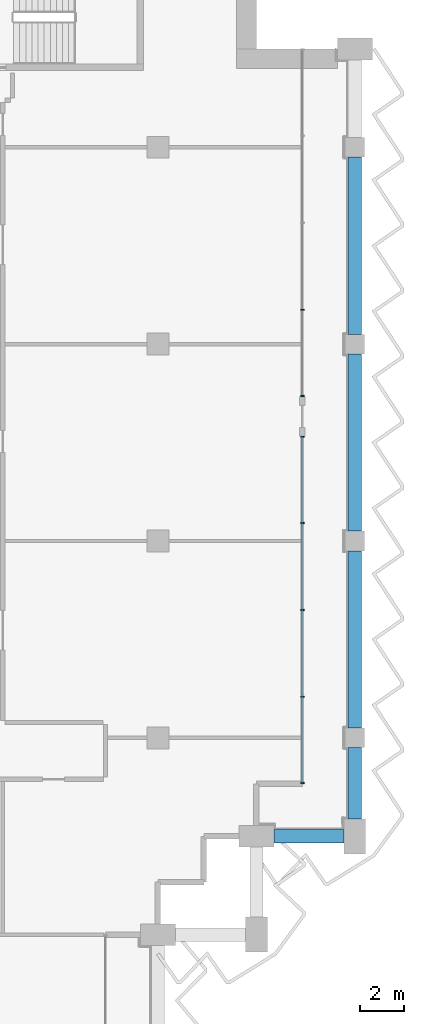
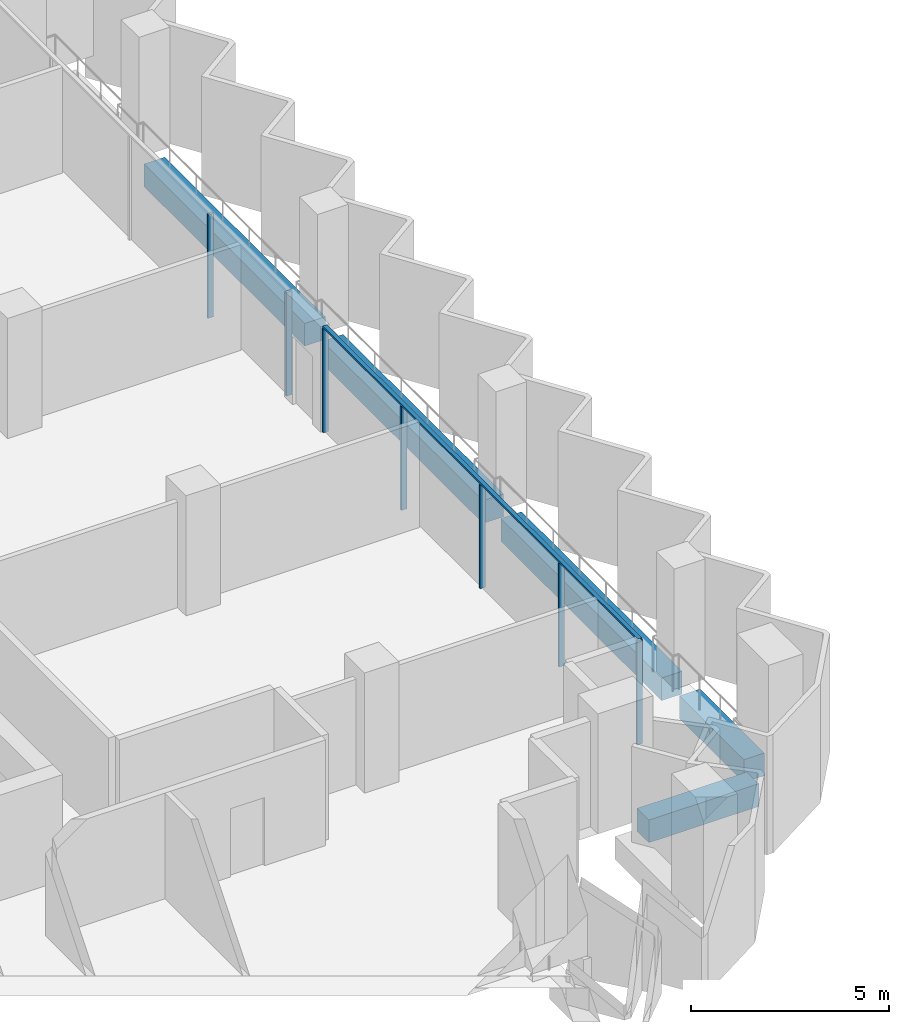
# One storey, part 5 of 17: 8 members, 5 beams, 2 elements without a shape of their own.
"""IFC4 building model written with IfcOpenShell, lengths in metres."""

from ifc_helpers import new_model, si_unit, direction, frame, origin, origin_2d, place, context, subcontext, project, spatial, rectangle, extrude, material, material_profile, profile_set, type_object, element, aggregate, save


model = new_model("IFC4")

# Units and contexts
model_context = context("Model", 3, precision=1e-05, world=origin(), true_north=direction((0.0, 1.0)))
body_context = subcontext(model_context, "Body", "Model", "MODEL_VIEW")
ifc_project = project(units=[si_unit("LENGTHUNIT", "METRE"), si_unit("AREAUNIT", "SQUARE_METRE"), si_unit("VOLUMEUNIT", "CUBIC_METRE"), si_unit("PLANEANGLEUNIT", "RADIAN"), si_unit("MASSUNIT", "GRAM", prefix="KILO")], contexts=[model_context])

# Site, building, storey
site_placement = place(None, origin())
site = spatial("IfcSite", under=ifc_project, at=site_placement, CompositionType="ELEMENT")
building_placement = place(site_placement, origin())
building = spatial("IfcBuilding", under=site, at=building_placement, Name="Hunhe Ridgeline Campus", CompositionType="ELEMENT")
storey_placement = place(building_placement, frame((0.0, 0.0, 272.5)))
storey = spatial("IfcBuildingStorey", under=building, at=storey_placement, Name="L70", CompositionType="ELEMENT", Elevation=272.5)

# Curtain wall, members
ifc_material_1 = material(Name="Aluminium 6063", Category="aluminium")
curtain_wall_type = type_object("IfcCurtainWallType", Name="Curtain wall CW-1", PredefinedType="NOTDEFINED", material=ifc_material_1)
curtain_wall_1_placement = place(storey_placement, origin())
curtain_wall_1 = element("IfcCurtainWall", 1, at=curtain_wall_1_placement, inside=storey, type_object=curtain_wall_type, Name="Curtain wall 12", PredefinedType="NOTDEFINED")
ifc_material_profile_1 = material_profile(ifc_material_1, rectangle(XDim=0.159912109375, YDim=0.06005859375, at=origin_2d()))
ifc_profile_set_1 = profile_set([ifc_material_profile_1], Name="Aluminium 6063")
member_type_1 = type_object("IfcMemberType", Name="CW-1 aluminium mullion", PredefinedType="MULLION", material=ifc_profile_set_1)
member_1_placement = place(storey_placement, frame((51.59912109375, 60.930908203125, 0.0), z_axis=(0.0, 0.0, 1.0), x_axis=(-1.0, 0.0, 0.0)))
member_1 = element("IfcMember", 2, at=member_1_placement, type_object=member_type_1, Name="CW-1 mullion 1", PredefinedType="MULLION", context=body_context, shape_type="SweptSolid", body=[
    extrude(rectangle(XDim=0.159912109375, YDim=0.06005859375, at=origin_2d()), origin(), (0.0, 0.0, 1.0), 3.18994140625),
])
member_2_placement = place(storey_placement, frame((51.59912109375, 64.8759765625, 0.0), z_axis=(0.0, 0.0, 1.0), x_axis=(-1.0, 0.0, 0.0)))
member_2 = element("IfcMember", 3, at=member_2_placement, type_object=member_type_1, Name="CW-1 mullion 2", PredefinedType="MULLION", context=body_context, shape_type="SweptSolid", body=[
    extrude(rectangle(XDim=0.159912109375, YDim=0.06005859375, at=origin_2d()), origin(), (0.0, 0.0, 1.0), 3.18994140625),
])
member_3_placement = place(storey_placement, frame((51.59912109375, 68.850830078125, 0.0), z_axis=(0.0, 0.0, 1.0), x_axis=(-1.0, 0.0, 0.0)))
member_3 = element("IfcMember", 4, at=member_3_placement, type_object=member_type_1, Name="CW-1 mullion 3", PredefinedType="MULLION", context=body_context, shape_type="SweptSolid", body=[
    extrude(rectangle(XDim=0.159912109375, YDim=0.06005859375, at=origin_2d()), origin(), (0.0, 0.0, 1.0), 3.18994140625),
])
member_4_placement = place(storey_placement, frame((51.59912109375, 72.82568359375, 0.0), z_axis=(0.0, 0.0, 1.0), x_axis=(-1.0, 0.0, 0.0)))
member_4 = element("IfcMember", 5, at=member_4_placement, type_object=member_type_1, Name="CW-1 mullion 4", PredefinedType="MULLION", context=body_context, shape_type="SweptSolid", body=[
    extrude(rectangle(XDim=0.159912109375, YDim=0.06005859375, at=origin_2d()), origin(), (0.0, 0.0, 1.0), 3.18994140625),
])
member_5_placement = place(storey_placement, frame((51.59912109375, 76.7705078125, 0.0), z_axis=(0.0, 0.0, 1.0), x_axis=(-1.0, 0.0, 0.0)))
member_5 = element("IfcMember", 6, at=member_5_placement, type_object=member_type_1, Name="CW-1 mullion 5", PredefinedType="MULLION", context=body_context, shape_type="SweptSolid", body=[
    extrude(rectangle(XDim=0.159912109375, YDim=0.06005859375, at=origin_2d()), origin(), (0.0, 0.0, 1.0), 3.18994140625),
])

curtain_wall_2_placement = place(storey_placement, origin())
curtain_wall_2 = element("IfcCurtainWall", 7, at=curtain_wall_2_placement, inside=storey, type_object=curtain_wall_type, Name="Curtain wall 13", PredefinedType="NOTDEFINED")
member_6_placement = place(storey_placement, frame((51.59912109375, 78.630615234375, 0.0), z_axis=(0.0, 0.0, 1.0), x_axis=(-1.0, 0.0, 0.0)))
member_6 = element("IfcMember", 8, at=member_6_placement, type_object=member_type_1, Name="CW-1 mullion 1", PredefinedType="MULLION", context=body_context, shape_type="SweptSolid", body=[
    extrude(rectangle(XDim=0.159912109375, YDim=0.06005859375, at=origin_2d()), origin(), (0.0, 0.0, 1.0), 3.18994140625),
])
member_7_placement = place(storey_placement, frame((51.59912109375, 82.575439453125, 0.0), z_axis=(0.0, 0.0, 1.0), x_axis=(-1.0, 0.0, 0.0)))
member_7 = element("IfcMember", 9, at=member_7_placement, type_object=member_type_1, Name="CW-1 mullion 2", PredefinedType="MULLION", context=body_context, shape_type="SweptSolid", body=[
    extrude(rectangle(XDim=0.159912109375, YDim=0.06005859375, at=origin_2d()), origin(), (0.0, 0.0, 1.0), 3.18994140625),
])
aggregate(curtain_wall_2, [member_6, member_7])

# Member
ifc_material_profile_2 = material_profile(ifc_material_1, rectangle(XDim=0.1201171875, YDim=0.06005859375, at=origin_2d()))
ifc_profile_set_2 = profile_set([ifc_material_profile_2], Name="Aluminium 6063")
member_type_2 = type_object("IfcMemberType", Name="CW-1 aluminium transom", PredefinedType="USERDEFINED", material=ifc_profile_set_2)
member_8_placement = place(storey_placement, frame((51.59912109375, 60.90087890625, 3.219970703125), z_axis=(0.0, 1.0, 0.0), x_axis=(-1.0, 0.0, 0.0)))
member_8 = element("IfcMember", 10, at=member_8_placement, type_object=member_type_2, Name="CW-1 transom 1", ObjectType="TRANSOM", PredefinedType="USERDEFINED", context=body_context, shape_type="SweptSolid", body=[
    extrude(rectangle(XDim=0.1201171875, YDim=0.06005859375, at=origin_2d()), origin(), (0.0, 0.0, 1.0), 15.899658203125),
])

aggregate(curtain_wall_1, [member_8, member_1, member_2, member_3, member_4, member_5])

# Beams
ifc_material_2 = material(Name="Concrete C50", Category="concrete")
ifc_material_profile_3 = material_profile(ifc_material_2, rectangle(XDim=0.60009765625, YDim=0.699951171875, at=origin_2d()))
ifc_profile_set_3 = profile_set([ifc_material_profile_3], Name="Concrete C50")
beam_type = type_object("IfcBeamType", Name="RC spandrel beam 600x700 Concrete C50", PredefinedType="SPANDREL", material=ifc_profile_set_3)
beam_1_placement = place(storey_placement, frame((50.300048828125, 58.5, -0.60009765625), z_axis=(1.0, 0.0, 0.0), x_axis=(0.0, 1.0, 0.0)))
element("IfcBeam", 11, at=beam_1_placement, inside=storey, type_object=beam_type, Name="Spandrel beam B4-12 L70", PredefinedType="SPANDREL", context=body_context, shape_type="SweptSolid", body=[
    extrude(rectangle(XDim=0.60009765625, YDim=0.699951171875, at=origin_2d()), origin(), (0.0, 0.0, 1.0), 3.199951171875),
])
beam_2_placement = place(storey_placement, frame((54.0, 59.300048828125, -0.60009765625), z_axis=(0.0, 1.0, 0.0), x_axis=(-1.0, 0.0, 0.0)))
element("IfcBeam", 12, at=beam_2_placement, inside=storey, type_object=beam_type, Name="Spandrel beam B4-13 L70", PredefinedType="SPANDREL", context=body_context, shape_type="SweptSolid", body=[
    extrude(rectangle(XDim=0.60009765625, YDim=0.699951171875, at=origin_2d()), origin(), (0.0, 0.0, 1.0), 3.25),
])
for number, where, z_axis, x_axis, name in (
    (13, (54.0, 63.449951171875, -0.60009765625), (0.0, 1.0, 0.0), (-1.0, 0.0, 0.0), "Spandrel beam B4-14 L70"),
    (14, (54.0, 72.449951171875, -0.60009765625), (0.0, 1.0, 0.0), (-1.0, 0.0, 0.0), "Spandrel beam B4-15 L70"),
    (15, (54.0, 81.449951171875, -0.60009765625), (0.0, 1.0, 0.0), (-1.0, 0.0, 0.0), "Spandrel beam B4-16 L70"),
):
    element("IfcBeam", number, at=place(storey_placement, frame(where, z_axis=z_axis, x_axis=x_axis)), inside=storey, type_object=beam_type, Name=name, PredefinedType="SPANDREL", context=body_context, shape_type="SweptSolid", body=[
        extrude(rectangle(XDim=0.60009765625, YDim=0.699951171875, at=origin_2d()), origin(), (0.0, 0.0, 1.0), 8.10009765625),
    ])

save(model, "model.ifc")
